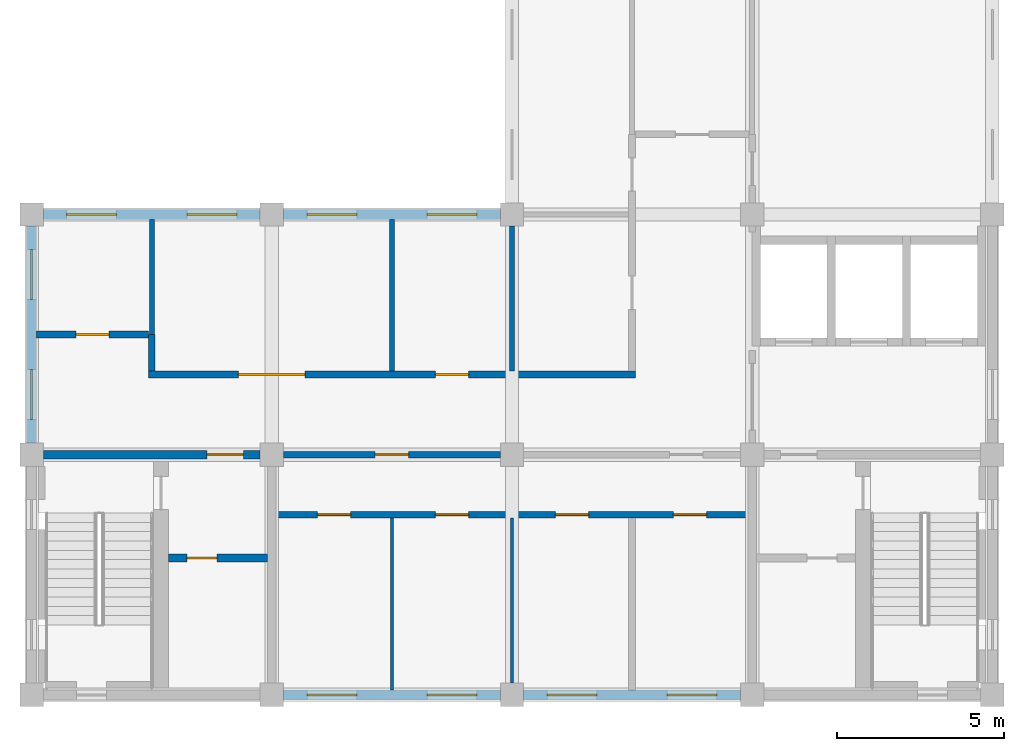
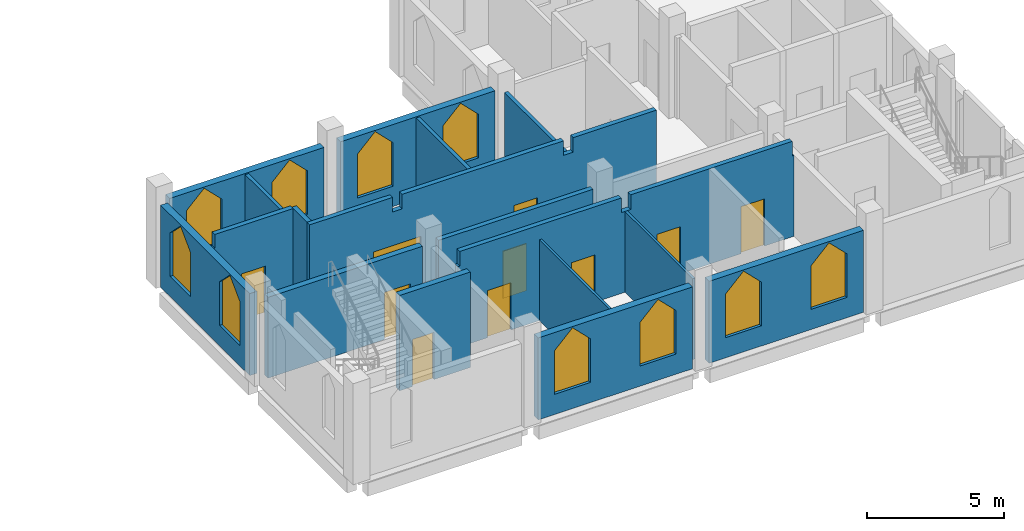
# One storey, part 2 of 5: 17 walls, 10 doors, 10 windows, 20 openings.
"""IFC4 building model written with IfcOpenShell, lengths in metres."""

from ifc_helpers import new_model, si_unit, direction, frame, frame_2d, origin, place, context, subcontext, project, spatial, polyline, rectangle, outline, extrude, material, layer, layer_set, type_object, element, fill, save


model = new_model("IFC4")

# Units and contexts
model_context = context("Model", 3, precision=1e-05, world=origin(), true_north=direction((0.0, 1.0)))
body_context = subcontext(model_context, "Body", "Model", "MODEL_VIEW")
ifc_project = project(units=[si_unit("LENGTHUNIT", "METRE"), si_unit("AREAUNIT", "SQUARE_METRE"), si_unit("VOLUMEUNIT", "CUBIC_METRE"), si_unit("PLANEANGLEUNIT", "RADIAN"), si_unit("MASSUNIT", "GRAM", prefix="KILO")], contexts=[model_context])

# Site, building, storey
site_placement = place(None, origin())
site = spatial("IfcSite", under=ifc_project, at=site_placement, CompositionType="ELEMENT")
building_placement = place(site_placement, origin())
building = spatial("IfcBuilding", under=site, at=building_placement, Name="Silangan Lancet Faculty of Sciences", CompositionType="ELEMENT")
storey_placement = place(building_placement, frame((0.0, 0.0, 63.300048828125)))
storey = spatial("IfcBuildingStorey", under=building, at=storey_placement, Name="L13", CompositionType="ELEMENT", Elevation=63.300048828125)

# Wall, openings, windows
ifc_material_1 = material(Name="Concrete C40/50 precast", Category="concrete")
ifc_layer_1 = layer(ifc_material_1, 0.300048828125)
ifc_layer_set_1 = layer_set([ifc_layer_1], Name="Concrete C40/50 precast")
wall_type_1 = type_object("IfcWallType", Name="EW1 Precast cladding wall", PredefinedType="STANDARD", material=ifc_layer_set_1)
wall_1_placement = place(storey_placement, frame((0.0, 7.550048828125, 0.0), z_axis=(0.0, 0.0, 1.0), x_axis=(0.0, 1.0, 0.0)))
wall_1 = element("IfcWall", 1, at=wall_1_placement, inside=storey, type_object=wall_type_1, Name="EW-L13-W-ST-U-01", PredefinedType="STANDARD", context=body_context, shape_type="SweptSolid", body=[
    extrude(rectangle(XDim=6.5, YDim=0.300048828125, at=frame_2d((3.25, 0.0))), origin(), (0.0, 0.0, 1.0), 3.64990234375),
])
opening_1_placement = place(wall_1_placement, frame((0.699951171875, 0.0, 0.89990234375)))
opening_1 = element("IfcOpeningElement", 2, at=opening_1_placement, cuts=wall_1, Name="Opening W23", PredefinedType="OPENING", context=body_context, shape_type="SweptSolid", body=[
    extrude(outline(polyline([(0.0, 0.0), (1.5, 0.0), (1.5, 1.949951171875), (0.75, 2.699951171875), (0.0, 1.949951171875), (0.0, 0.0)])), frame((0.0, 0.159912109375, 0.0), z_axis=(0.0, -1.0, 0.0), x_axis=(1.0, 0.0, 0.0)), (0.0, 0.0, 1.0), 0.320068359375),
])
opening_2_placement = place(wall_1_placement, frame((4.300048828125, 0.0, 0.89990234375)))
opening_2 = element("IfcOpeningElement", 3, at=opening_2_placement, cuts=wall_1, Name="Opening W23", PredefinedType="OPENING", context=body_context, shape_type="SweptSolid", body=[
    extrude(outline(polyline([(0.0, 0.0), (1.5, 0.0), (1.5, 1.949951171875), (0.75, 2.699951171875), (0.0, 1.949951171875), (0.0, 0.0)])), frame((0.0, 0.159912109375, 0.0), z_axis=(0.0, -1.0, 0.0), x_axis=(1.0, 0.0, 0.0)), (0.0, 0.0, 1.0), 0.320068359375),
])
ifc_material_2 = material(Name="Aluminium frame, laminated double glazing", Category="aluminium")
window_type = type_object("IfcWindowType", Name="W23 Lancet window 1500 x 2700", PartitioningType="SINGLE_PANEL", PredefinedType="WINDOW", material=ifc_material_2)
window_1_placement = place(opening_1_placement, origin())
window_1 = element("IfcWindow", 4, at=window_1_placement, inside=storey, type_object=window_type, Name="WIN-L13-W-ST-U-01a", OverallHeight=2.699951171875, OverallWidth=1.5, PartitioningType="SINGLE_PANEL", PredefinedType="WINDOW", context=body_context, shape_type="SweptSolid", body=[
    extrude(outline(polyline([(0.0, 0.0), (1.5, 0.0), (1.5, 1.949951171875), (0.75, 2.699951171875), (0.0, 1.949951171875), (0.0, 0.0)])), frame((0.0, 0.030029296875, 0.0), z_axis=(0.0, -1.0, 0.0), x_axis=(1.0, 0.0, 0.0)), (0.0, 0.0, 1.0), 0.06005859375),
])
fill(opening_1, window_1)
window_2_placement = place(opening_2_placement, origin())
window_2 = element("IfcWindow", 5, at=window_2_placement, inside=storey, type_object=window_type, Name="WIN-L13-W-ST-U-01b", OverallHeight=2.699951171875, OverallWidth=1.5, PartitioningType="SINGLE_PANEL", PredefinedType="WINDOW", context=body_context, shape_type="SweptSolid", body=[
    extrude(outline(polyline([(0.0, 0.0), (1.5, 0.0), (1.5, 1.949951171875), (0.75, 2.699951171875), (0.0, 1.949951171875), (0.0, 0.0)])), frame((0.0, 0.030029296875, 0.0), z_axis=(0.0, -1.0, 0.0), x_axis=(1.0, 0.0, 0.0)), (0.0, 0.0, 1.0), 0.06005859375),
])
fill(opening_2, window_2)

wall_2_placement = place(storey_placement, frame((7.550048828125, 0.0, 0.0), z_axis=(0.0, 0.0, 1.0), x_axis=(1.0, 0.0, 0.0)))
wall_2 = element("IfcWall", 6, at=wall_2_placement, inside=storey, type_object=wall_type_1, Name="EW-L13-S-ST-01", PredefinedType="STANDARD", context=body_context, shape_type="SweptSolid", body=[
    extrude(rectangle(XDim=6.5, YDim=0.300048828125, at=frame_2d((3.25, 0.0))), origin(), (0.0, 0.0, 1.0), 3.64990234375),
])
opening_3_placement = place(wall_2_placement, frame((0.699951171875, 0.0, 0.89990234375)))
opening_3 = element("IfcOpeningElement", 7, at=opening_3_placement, cuts=wall_2, Name="Opening W23", PredefinedType="OPENING", context=body_context, shape_type="SweptSolid", body=[
    extrude(outline(polyline([(0.0, 0.0), (1.5, 0.0), (1.5, 1.949951171875), (0.75, 2.699951171875), (0.0, 1.949951171875), (0.0, 0.0)])), frame((0.0, 0.159912109375, 0.0), z_axis=(0.0, -1.0, 0.0), x_axis=(1.0, 0.0, 0.0)), (0.0, 0.0, 1.0), 0.320068359375),
])
opening_4_placement = place(wall_2_placement, frame((4.300048828125, 0.0, 0.89990234375)))
opening_4 = element("IfcOpeningElement", 8, at=opening_4_placement, cuts=wall_2, Name="Opening W23", PredefinedType="OPENING", context=body_context, shape_type="SweptSolid", body=[
    extrude(outline(polyline([(0.0, 0.0), (1.5, 0.0), (1.5, 1.949951171875), (0.75, 2.699951171875), (0.0, 1.949951171875), (0.0, 0.0)])), frame((0.0, 0.159912109375, 0.0), z_axis=(0.0, -1.0, 0.0), x_axis=(1.0, 0.0, 0.0)), (0.0, 0.0, 1.0), 0.320068359375),
])
window_3_placement = place(opening_3_placement, origin())
window_3 = element("IfcWindow", 9, at=window_3_placement, inside=storey, type_object=window_type, Name="WIN-L13-S-ST-01a", OverallHeight=2.699951171875, OverallWidth=1.5, PartitioningType="SINGLE_PANEL", PredefinedType="WINDOW", context=body_context, shape_type="SweptSolid", body=[
    extrude(outline(polyline([(0.0, 0.0), (1.5, 0.0), (1.5, 1.949951171875), (0.75, 2.699951171875), (0.0, 1.949951171875), (0.0, 0.0)])), frame((0.0, 0.030029296875, 0.0), z_axis=(0.0, -1.0, 0.0), x_axis=(1.0, 0.0, 0.0)), (0.0, 0.0, 1.0), 0.06005859375),
])
fill(opening_3, window_3)
window_4_placement = place(opening_4_placement, origin())
window_4 = element("IfcWindow", 10, at=window_4_placement, inside=storey, type_object=window_type, Name="WIN-L13-S-ST-01b", OverallHeight=2.699951171875, OverallWidth=1.5, PartitioningType="SINGLE_PANEL", PredefinedType="WINDOW", context=body_context, shape_type="SweptSolid", body=[
    extrude(outline(polyline([(0.0, 0.0), (1.5, 0.0), (1.5, 1.949951171875), (0.75, 2.699951171875), (0.0, 1.949951171875), (0.0, 0.0)])), frame((0.0, 0.030029296875, 0.0), z_axis=(0.0, -1.0, 0.0), x_axis=(1.0, 0.0, 0.0)), (0.0, 0.0, 1.0), 0.06005859375),
])
fill(opening_4, window_4)

wall_3_placement = place(storey_placement, frame((14.75, 0.0, 0.0), z_axis=(0.0, 0.0, 1.0), x_axis=(1.0, 0.0, 0.0)))
wall_3 = element("IfcWall", 11, at=wall_3_placement, inside=storey, type_object=wall_type_1, Name="EW-L13-S-ST-02", PredefinedType="STANDARD", context=body_context, shape_type="SweptSolid", body=[
    extrude(rectangle(XDim=6.5, YDim=0.300048828125, at=frame_2d((3.25, 0.0))), origin(), (0.0, 0.0, 1.0), 3.64990234375),
])
opening_5_placement = place(wall_3_placement, frame((0.699951171875, 0.0, 0.89990234375)))
opening_5 = element("IfcOpeningElement", 12, at=opening_5_placement, cuts=wall_3, Name="Opening W23", PredefinedType="OPENING", context=body_context, shape_type="SweptSolid", body=[
    extrude(outline(polyline([(0.0, 0.0), (1.5, 0.0), (1.5, 1.949951171875), (0.75, 2.699951171875), (0.0, 1.949951171875), (0.0, 0.0)])), frame((0.0, 0.159912109375, 0.0), z_axis=(0.0, -1.0, 0.0), x_axis=(1.0, 0.0, 0.0)), (0.0, 0.0, 1.0), 0.320068359375),
])
opening_6_placement = place(wall_3_placement, frame((4.300048828125, 0.0, 0.89990234375)))
opening_6 = element("IfcOpeningElement", 13, at=opening_6_placement, cuts=wall_3, Name="Opening W23", PredefinedType="OPENING", context=body_context, shape_type="SweptSolid", body=[
    extrude(outline(polyline([(0.0, 0.0), (1.5, 0.0), (1.5, 1.949951171875), (0.75, 2.699951171875), (0.0, 1.949951171875), (0.0, 0.0)])), frame((0.0, 0.159912109375, 0.0), z_axis=(0.0, -1.0, 0.0), x_axis=(1.0, 0.0, 0.0)), (0.0, 0.0, 1.0), 0.320068359375),
])
window_5_placement = place(opening_5_placement, origin())
window_5 = element("IfcWindow", 14, at=window_5_placement, inside=storey, type_object=window_type, Name="WIN-L13-S-ST-02a", OverallHeight=2.699951171875, OverallWidth=1.5, PartitioningType="SINGLE_PANEL", PredefinedType="WINDOW", context=body_context, shape_type="SweptSolid", body=[
    extrude(outline(polyline([(0.0, 0.0), (1.5, 0.0), (1.5, 1.949951171875), (0.75, 2.699951171875), (0.0, 1.949951171875), (0.0, 0.0)])), frame((0.0, 0.030029296875, 0.0), z_axis=(0.0, -1.0, 0.0), x_axis=(1.0, 0.0, 0.0)), (0.0, 0.0, 1.0), 0.06005859375),
])
fill(opening_5, window_5)
window_6_placement = place(opening_6_placement, origin())
window_6 = element("IfcWindow", 15, at=window_6_placement, inside=storey, type_object=window_type, Name="WIN-L13-S-ST-02b", OverallHeight=2.699951171875, OverallWidth=1.5, PartitioningType="SINGLE_PANEL", PredefinedType="WINDOW", context=body_context, shape_type="SweptSolid", body=[
    extrude(outline(polyline([(0.0, 0.0), (1.5, 0.0), (1.5, 1.949951171875), (0.75, 2.699951171875), (0.0, 1.949951171875), (0.0, 0.0)])), frame((0.0, 0.030029296875, 0.0), z_axis=(0.0, -1.0, 0.0), x_axis=(1.0, 0.0, 0.0)), (0.0, 0.0, 1.0), 0.06005859375),
])
fill(opening_6, window_6)

wall_4_placement = place(storey_placement, frame((14.050048828125, 14.39990234375, 0.0), z_axis=(0.0, 0.0, 1.0), x_axis=(-1.0, 0.0, 0.0)))
wall_4 = element("IfcWall", 16, at=wall_4_placement, inside=storey, type_object=wall_type_1, Name="EW-L13-N-ST-T-00", PredefinedType="STANDARD", context=body_context, shape_type="SweptSolid", body=[
    extrude(rectangle(XDim=6.5, YDim=0.300048828125, at=frame_2d((3.25, 0.0))), origin(), (0.0, 0.0, 1.0), 3.64990234375),
])
opening_7_placement = place(wall_4_placement, frame((0.699951171875, 0.0, 0.89990234375)))
opening_7 = element("IfcOpeningElement", 17, at=opening_7_placement, cuts=wall_4, Name="Opening W23", PredefinedType="OPENING", context=body_context, shape_type="SweptSolid", body=[
    extrude(outline(polyline([(0.0, 0.0), (1.5, 0.0), (1.5, 1.949951171875), (0.75, 2.699951171875), (0.0, 1.949951171875), (0.0, 0.0)])), frame((0.0, 0.159912109375, 0.0), z_axis=(0.0, -1.0, 0.0), x_axis=(1.0, 0.0, 0.0)), (0.0, 0.0, 1.0), 0.320068359375),
])
opening_8_placement = place(wall_4_placement, frame((4.300048828125, 0.0, 0.89990234375)))
opening_8 = element("IfcOpeningElement", 18, at=opening_8_placement, cuts=wall_4, Name="Opening W23", PredefinedType="OPENING", context=body_context, shape_type="SweptSolid", body=[
    extrude(outline(polyline([(0.0, 0.0), (1.5, 0.0), (1.5, 1.949951171875), (0.75, 2.699951171875), (0.0, 1.949951171875), (0.0, 0.0)])), frame((0.0, 0.159912109375, 0.0), z_axis=(0.0, -1.0, 0.0), x_axis=(1.0, 0.0, 0.0)), (0.0, 0.0, 1.0), 0.320068359375),
])
window_7_placement = place(opening_7_placement, origin())
window_7 = element("IfcWindow", 19, at=window_7_placement, inside=storey, type_object=window_type, Name="WIN-L13-N-ST-T-00a", OverallHeight=2.699951171875, OverallWidth=1.5, PartitioningType="SINGLE_PANEL", PredefinedType="WINDOW", context=body_context, shape_type="SweptSolid", body=[
    extrude(outline(polyline([(0.0, 0.0), (1.5, 0.0), (1.5, 1.949951171875), (0.75, 2.699951171875), (0.0, 1.949951171875), (0.0, 0.0)])), frame((0.0, 0.030029296875, 0.0), z_axis=(0.0, -1.0, 0.0), x_axis=(1.0, 0.0, 0.0)), (0.0, 0.0, 1.0), 0.06005859375),
])
fill(opening_7, window_7)
window_8_placement = place(opening_8_placement, origin())
window_8 = element("IfcWindow", 20, at=window_8_placement, inside=storey, type_object=window_type, Name="WIN-L13-N-ST-T-00b", OverallHeight=2.699951171875, OverallWidth=1.5, PartitioningType="SINGLE_PANEL", PredefinedType="WINDOW", context=body_context, shape_type="SweptSolid", body=[
    extrude(outline(polyline([(0.0, 0.0), (1.5, 0.0), (1.5, 1.949951171875), (0.75, 2.699951171875), (0.0, 1.949951171875), (0.0, 0.0)])), frame((0.0, 0.030029296875, 0.0), z_axis=(0.0, -1.0, 0.0), x_axis=(1.0, 0.0, 0.0)), (0.0, 0.0, 1.0), 0.06005859375),
])
fill(opening_8, window_8)

wall_5_placement = place(storey_placement, frame((6.85009765625, 14.39990234375, 0.0), z_axis=(0.0, 0.0, 1.0), x_axis=(-1.0, 0.0, 0.0)))
wall_5 = element("IfcWall", 21, at=wall_5_placement, inside=storey, type_object=wall_type_1, Name="EW-L13-N-ST-T-01", PredefinedType="STANDARD", context=body_context, shape_type="SweptSolid", body=[
    extrude(rectangle(XDim=6.5, YDim=0.300048828125, at=frame_2d((3.25, 0.0))), origin(), (0.0, 0.0, 1.0), 3.64990234375),
])
opening_9_placement = place(wall_5_placement, frame((0.699951171875, 0.0, 0.89990234375)))
opening_9 = element("IfcOpeningElement", 22, at=opening_9_placement, cuts=wall_5, Name="Opening W23", PredefinedType="OPENING", context=body_context, shape_type="SweptSolid", body=[
    extrude(outline(polyline([(0.0, 0.0), (1.5, 0.0), (1.5, 1.949951171875), (0.75, 2.699951171875), (0.0, 1.949951171875), (0.0, 0.0)])), frame((0.0, 0.159912109375, 0.0), z_axis=(0.0, -1.0, 0.0), x_axis=(1.0, 0.0, 0.0)), (0.0, 0.0, 1.0), 0.320068359375),
])
opening_10_placement = place(wall_5_placement, frame((4.300048828125, 0.0, 0.89990234375)))
opening_10 = element("IfcOpeningElement", 23, at=opening_10_placement, cuts=wall_5, Name="Opening W23", PredefinedType="OPENING", context=body_context, shape_type="SweptSolid", body=[
    extrude(outline(polyline([(0.0, 0.0), (1.5, 0.0), (1.5, 1.949951171875), (0.75, 2.699951171875), (0.0, 1.949951171875), (0.0, 0.0)])), frame((0.0, 0.159912109375, 0.0), z_axis=(0.0, -1.0, 0.0), x_axis=(1.0, 0.0, 0.0)), (0.0, 0.0, 1.0), 0.320068359375),
])
window_9_placement = place(opening_9_placement, origin())
window_9 = element("IfcWindow", 24, at=window_9_placement, inside=storey, type_object=window_type, Name="WIN-L13-N-ST-T-01a", OverallHeight=2.699951171875, OverallWidth=1.5, PartitioningType="SINGLE_PANEL", PredefinedType="WINDOW", context=body_context, shape_type="SweptSolid", body=[
    extrude(outline(polyline([(0.0, 0.0), (1.5, 0.0), (1.5, 1.949951171875), (0.75, 2.699951171875), (0.0, 1.949951171875), (0.0, 0.0)])), frame((0.0, 0.030029296875, 0.0), z_axis=(0.0, -1.0, 0.0), x_axis=(1.0, 0.0, 0.0)), (0.0, 0.0, 1.0), 0.06005859375),
])
fill(opening_9, window_9)
window_10_placement = place(opening_10_placement, origin())
window_10 = element("IfcWindow", 25, at=window_10_placement, inside=storey, type_object=window_type, Name="WIN-L13-N-ST-T-01b", OverallHeight=2.699951171875, OverallWidth=1.5, PartitioningType="SINGLE_PANEL", PredefinedType="WINDOW", context=body_context, shape_type="SweptSolid", body=[
    extrude(outline(polyline([(0.0, 0.0), (1.5, 0.0), (1.5, 1.949951171875), (0.75, 2.699951171875), (0.0, 1.949951171875), (0.0, 0.0)])), frame((0.0, 0.030029296875, 0.0), z_axis=(0.0, -1.0, 0.0), x_axis=(1.0, 0.0, 0.0)), (0.0, 0.0, 1.0), 0.06005859375),
])
fill(opening_10, window_10)

# Wall, openings, doors
ifc_material_3 = material(Name="Hollow block masonry fm 7 MPa", Category="masonry")
ifc_layer_2 = layer(ifc_material_3, 0.199951171875)
ifc_layer_set_2 = layer_set([ifc_layer_2], Name="Hollow block masonry fm 7 MPa")
wall_type_2 = type_object("IfcWallType", Name="Interior wall PW1 Corridor wall CHB 200", PredefinedType="PARTITIONING", material=ifc_layer_set_2)
wall_6_placement = place(storey_placement, frame((7.324951171875, 5.39990234375, 0.0), z_axis=(0.0, 0.0, 1.0), x_axis=(1.0, 0.0, 0.0)))
wall_6 = element("IfcWall", 26, at=wall_6_placement, inside=storey, type_object=wall_type_2, Name="Corridor wall CHB 200", PredefinedType="PARTITIONING", context=body_context, shape_type="SweptSolid", body=[
    extrude(outline(polyline([(0.0, 0.0), (14.150146484375, 0.0), (14.150146484375, 3.599853515625), (14.074951171875, 3.599853515625), (14.074951171875, 4.25), (7.27490234375, 4.25), (7.27490234375, 3.599853515625), (6.875, 3.599853515625), (6.875, 4.25), (0.074951171875, 4.25), (0.074951171875, 3.599853515625), (0.0, 3.599853515625), (0.0, 0.0)])), frame((0.0, 0.10009765625, 0.0), z_axis=(0.0, -1.0, 0.0), x_axis=(1.0, 0.0, 0.0)), (0.0, 0.0, 1.0), 0.199951171875),
])
opening_11_placement = place(wall_6_placement, frame((1.237548828125, 0.0, 0.0)))
opening_11 = element("IfcOpeningElement", 27, at=opening_11_placement, cuts=wall_6, Name="Opening L13-004", PredefinedType="OPENING", context=body_context, shape_type="SweptSolid", body=[
    extrude(rectangle(XDim=1.0, YDim=2.10009765625, at=frame_2d((0.5, 1.050048828125))), frame((0.0, 0.10986328125, 0.0), z_axis=(0.0, -1.0, 0.0), x_axis=(1.0, 0.0, 0.0)), (0.0, 0.0, 1.0), 0.219970703125),
])
opening_12_placement = place(wall_6_placement, frame((4.77490234375, 0.0, 0.0)))
opening_12 = element("IfcOpeningElement", 28, at=opening_12_placement, cuts=wall_6, Name="Opening L13-005", PredefinedType="OPENING", context=body_context, shape_type="SweptSolid", body=[
    extrude(rectangle(XDim=1.0, YDim=2.10009765625, at=frame_2d((0.5, 1.050048828125))), frame((0.0, 0.10986328125, 0.0), z_axis=(0.0, -1.0, 0.0), x_axis=(1.0, 0.0, 0.0)), (0.0, 0.0, 1.0), 0.219970703125),
])
opening_13_placement = place(wall_6_placement, frame((8.375, 0.0, 0.0)))
opening_13 = element("IfcOpeningElement", 29, at=opening_13_placement, cuts=wall_6, Name="Opening L13-006", PredefinedType="OPENING", context=body_context, shape_type="SweptSolid", body=[
    extrude(rectangle(XDim=1.0, YDim=2.10009765625, at=frame_2d((0.5, 1.050048828125))), frame((0.0, 0.10986328125, 0.0), z_axis=(0.0, -1.0, 0.0), x_axis=(1.0, 0.0, 0.0)), (0.0, 0.0, 1.0), 0.219970703125),
])
opening_14_placement = place(wall_6_placement, frame((11.91259765625, 0.0, 0.0)))
opening_14 = element("IfcOpeningElement", 30, at=opening_14_placement, cuts=wall_6, Name="Opening L13-007", PredefinedType="OPENING", context=body_context, shape_type="SweptSolid", body=[
    extrude(rectangle(XDim=1.0, YDim=2.10009765625, at=frame_2d((0.5, 1.050048828125))), frame((0.0, 0.10986328125, 0.0), z_axis=(0.0, -1.0, 0.0), x_axis=(1.0, 0.0, 0.0)), (0.0, 0.0, 1.0), 0.219970703125),
])
ifc_material_4 = material(Name="Steel fire door set", Category="steel")
door_type_1 = type_object("IfcDoorType", Name="Door D1 Single leaf fire door 1000 x 2100", OperationType="SINGLE_SWING_LEFT", PredefinedType="DOOR", material=ifc_material_4)
door_1_placement = place(opening_11_placement, frame((1.0, 0.0, 0.0), z_axis=(0.0, 0.0, 1.0), x_axis=(-1.0, 0.0, 0.0)))
door_1 = element("IfcDoor", 31, at=door_1_placement, inside=storey, type_object=door_type_1, Name="Single leaf fire door 1000 x 2100", OperationType="SINGLE_SWING_LEFT", OverallHeight=2.10009765625, OverallWidth=1.0, PredefinedType="DOOR", context=body_context, shape_type="SweptSolid", body=[
    extrude(rectangle(XDim=1.0, YDim=2.10009765625, at=frame_2d((0.5, 1.050048828125))), frame((0.0, 0.025146484375, 0.0), z_axis=(0.0, -1.0, 0.0), x_axis=(1.0, 0.0, 0.0)), (0.0, 0.0, 1.0), 0.050048828125),
])
fill(opening_11, door_1)
door_2_placement = place(opening_12_placement, frame((1.0, 0.0, 0.0), z_axis=(0.0, 0.0, 1.0), x_axis=(-1.0, 0.0, 0.0)))
door_2 = element("IfcDoor", 32, at=door_2_placement, inside=storey, type_object=door_type_1, Name="Single leaf fire door 1000 x 2100", OperationType="SINGLE_SWING_RIGHT", OverallHeight=2.10009765625, OverallWidth=1.0, PredefinedType="DOOR", context=body_context, shape_type="SweptSolid", body=[
    extrude(rectangle(XDim=1.0, YDim=2.10009765625, at=frame_2d((0.5, 1.050048828125))), frame((0.0, 0.025146484375, 0.0), z_axis=(0.0, -1.0, 0.0), x_axis=(1.0, 0.0, 0.0)), (0.0, 0.0, 1.0), 0.050048828125),
])
fill(opening_12, door_2)
door_3_placement = place(opening_13_placement, frame((1.0, 0.0, 0.0), z_axis=(0.0, 0.0, 1.0), x_axis=(-1.0, 0.0, 0.0)))
door_3 = element("IfcDoor", 33, at=door_3_placement, inside=storey, type_object=door_type_1, Name="Single leaf fire door 1000 x 2100", OperationType="SINGLE_SWING_LEFT", OverallHeight=2.10009765625, OverallWidth=1.0, PredefinedType="DOOR", context=body_context, shape_type="SweptSolid", body=[
    extrude(rectangle(XDim=1.0, YDim=2.10009765625, at=frame_2d((0.5, 1.050048828125))), frame((0.0, 0.025146484375, 0.0), z_axis=(0.0, -1.0, 0.0), x_axis=(1.0, 0.0, 0.0)), (0.0, 0.0, 1.0), 0.050048828125),
])
fill(opening_13, door_3)
door_4_placement = place(opening_14_placement, frame((1.0, 0.0, 0.0), z_axis=(0.0, 0.0, 1.0), x_axis=(-1.0, 0.0, 0.0)))
door_4 = element("IfcDoor", 34, at=door_4_placement, inside=storey, type_object=door_type_1, Name="Single leaf fire door 1000 x 2100", OperationType="SINGLE_SWING_RIGHT", OverallHeight=2.10009765625, OverallWidth=1.0, PredefinedType="DOOR", context=body_context, shape_type="SweptSolid", body=[
    extrude(rectangle(XDim=1.0, YDim=2.10009765625, at=frame_2d((0.5, 1.050048828125))), frame((0.0, 0.025146484375, 0.0), z_axis=(0.0, -1.0, 0.0), x_axis=(1.0, 0.0, 0.0)), (0.0, 0.0, 1.0), 0.050048828125),
])
fill(opening_14, door_4)

# Wall, opening, door
wall_7_placement = place(storey_placement, frame((7.550048828125, 7.199951171875, 0.0), z_axis=(0.0, 0.0, 1.0), x_axis=(1.0, 0.0, 0.0)))
wall_7 = element("IfcWall", 35, at=wall_7_placement, inside=storey, type_object=wall_type_2, Name="Corridor wall CHB 200", PredefinedType="PARTITIONING", context=body_context, shape_type="SweptSolid", body=[
    extrude(rectangle(XDim=6.5, YDim=0.199951171875, at=frame_2d((3.25, 0.0))), origin(), (0.0, 0.0, 1.0), 3.599853515625),
])
opening_15_placement = place(wall_7_placement, frame((2.75, 0.0, 0.0)))
opening_15 = element("IfcOpeningElement", 36, at=opening_15_placement, cuts=wall_7, Name="Opening L13-002", PredefinedType="OPENING", context=body_context, shape_type="SweptSolid", body=[
    extrude(rectangle(XDim=1.0, YDim=2.10009765625, at=frame_2d((0.5, 1.050048828125))), frame((0.0, 0.10986328125, 0.0), z_axis=(0.0, -1.0, 0.0), x_axis=(1.0, 0.0, 0.0)), (0.0, 0.0, 1.0), 0.219970703125),
])
door_5_placement = place(opening_15_placement, frame((1.0, 0.0, 0.0), z_axis=(0.0, 0.0, 1.0), x_axis=(-1.0, 0.0, 0.0)))
door_5 = element("IfcDoor", 37, at=door_5_placement, inside=storey, type_object=door_type_1, Name="Single leaf fire door 1000 x 2100", OperationType="SINGLE_SWING_LEFT", OverallHeight=2.10009765625, OverallWidth=1.0, PredefinedType="DOOR", context=body_context, shape_type="SweptSolid", body=[
    extrude(rectangle(XDim=1.0, YDim=2.10009765625, at=frame_2d((0.5, 1.050048828125))), frame((0.0, 0.025146484375, 0.0), z_axis=(0.0, -1.0, 0.0), x_axis=(1.0, 0.0, 0.0)), (0.0, 0.0, 1.0), 0.050048828125),
])
fill(opening_15, door_5)

# Wall, openings, doors
wall_8_placement = place(storey_placement, frame((3.5, 9.60009765625, 0.0), z_axis=(0.0, 0.0, 1.0), x_axis=(1.0, 0.0, 0.0)))
wall_8 = element("IfcWall", 38, at=wall_8_placement, inside=storey, type_object=wall_type_2, Name="Corridor wall CHB 200", PredefinedType="PARTITIONING", context=body_context, shape_type="SweptSolid", body=[
    extrude(outline(polyline([(0.0, 0.0), (14.60009765625, 0.0), (14.60009765625, 4.25), (11.10009765625, 4.25), (11.10009765625, 3.599853515625), (10.699951171875, 3.599853515625), (10.699951171875, 4.25), (3.89990234375, 4.25), (3.89990234375, 3.599853515625), (3.5, 3.599853515625), (3.5, 4.25), (0.0, 4.25), (0.0, 0.0)])), frame((0.0, 0.10009765625, 0.0), z_axis=(0.0, -1.0, 0.0), x_axis=(1.0, 0.0, 0.0)), (0.0, 0.0, 1.0), 0.199951171875),
])
opening_16_placement = place(wall_8_placement, frame((2.699951171875, 0.0, 0.0)))
opening_16 = element("IfcOpeningElement", 39, at=opening_16_placement, cuts=wall_8, Name="Opening L13-012", PredefinedType="OPENING", context=body_context, shape_type="SweptSolid", body=[
    extrude(rectangle(XDim=2.0, YDim=2.10009765625, at=frame_2d((1.0, 1.050048828125))), frame((0.0, 0.10986328125, 0.0), z_axis=(0.0, -1.0, 0.0), x_axis=(1.0, 0.0, 0.0)), (0.0, 0.0, 1.0), 0.219970703125),
])
opening_17_placement = place(wall_8_placement, frame((8.60009765625, 0.0, 0.0)))
opening_17 = element("IfcOpeningElement", 40, at=opening_17_placement, cuts=wall_8, Name="Opening L13-013", PredefinedType="OPENING", context=body_context, shape_type="SweptSolid", body=[
    extrude(rectangle(XDim=1.0, YDim=2.10009765625, at=frame_2d((0.5, 1.050048828125))), frame((0.0, 0.10986328125, 0.0), z_axis=(0.0, -1.0, 0.0), x_axis=(1.0, 0.0, 0.0)), (0.0, 0.0, 1.0), 0.219970703125),
])
door_6_placement = place(opening_17_placement, origin())
door_6 = element("IfcDoor", 41, at=door_6_placement, inside=storey, type_object=door_type_1, Name="Single leaf fire door 1000 x 2100", OperationType="SINGLE_SWING_LEFT", OverallHeight=2.10009765625, OverallWidth=1.0, PredefinedType="DOOR", context=body_context, shape_type="SweptSolid", body=[
    extrude(rectangle(XDim=1.0, YDim=2.10009765625, at=frame_2d((0.5, 1.050048828125))), frame((0.0, 0.02490234375, 0.0), z_axis=(0.0, -1.0, 0.0), x_axis=(1.0, 0.0, 0.0)), (0.0, 0.0, 1.0), 0.050048828125),
])
fill(opening_17, door_6)
ifc_material_5 = material(Name="Steel fire door set", Category="steel")
door_type_2 = type_object("IfcDoorType", Name="Door D4 Double leaf fire door 2000 x 2100", OperationType="DOUBLE_DOOR_SINGLE_SWING", PredefinedType="DOOR", material=ifc_material_5)
door_7_placement = place(opening_16_placement, origin())
door_7 = element("IfcDoor", 42, at=door_7_placement, inside=storey, type_object=door_type_2, Name="Double leaf fire door 2000 x 2100", OperationType="DOUBLE_DOOR_SINGLE_SWING", OverallHeight=2.10009765625, OverallWidth=2.0, PredefinedType="DOOR", context=body_context, shape_type="SweptSolid", body=[
    extrude(rectangle(XDim=2.0, YDim=2.10009765625, at=frame_2d((1.0, 1.050048828125))), frame((0.0, 0.02490234375, 0.0), z_axis=(0.0, -1.0, 0.0), x_axis=(1.0, 0.0, 0.0)), (0.0, 0.0, 1.0), 0.050048828125),
])
fill(opening_16, door_7)

# Wall, opening, door
wall_9_placement = place(storey_placement, frame((0.14990234375, 10.800048828125, 0.0), z_axis=(0.0, 0.0, 1.0), x_axis=(1.0, 0.0, 0.0)))
wall_9 = element("IfcWall", 43, at=wall_9_placement, inside=storey, type_object=wall_type_2, Name="Corridor wall CHB 200", PredefinedType="PARTITIONING", context=body_context, shape_type="SweptSolid", body=[
    extrude(outline(polyline([(0.0, 0.0), (3.35009765625, 0.0), (3.35009765625, 4.25), (0.050048828125, 4.25), (0.050048828125, 3.64990234375), (0.0, 3.64990234375), (0.0, 0.0)])), frame((0.0, 0.10009765625, 0.0), z_axis=(0.0, -1.0, 0.0), x_axis=(1.0, 0.0, 0.0)), (0.0, 0.0, 1.0), 0.199951171875),
])
opening_18_placement = place(wall_9_placement, frame((1.175048828125, 0.0, 0.0)))
opening_18 = element("IfcOpeningElement", 44, at=opening_18_placement, cuts=wall_9, Name="Opening L13-011", PredefinedType="OPENING", context=body_context, shape_type="SweptSolid", body=[
    extrude(rectangle(XDim=1.0, YDim=2.10009765625, at=frame_2d((0.5, 1.050048828125))), frame((0.0, 0.10986328125, 0.0), z_axis=(0.0, -1.0, 0.0), x_axis=(1.0, 0.0, 0.0)), (0.0, 0.0, 1.0), 0.219970703125),
])
door_8_placement = place(opening_18_placement, origin())
door_8 = element("IfcDoor", 45, at=door_8_placement, inside=storey, type_object=door_type_1, Name="Single leaf fire door 1000 x 2100", OperationType="SINGLE_SWING_LEFT", OverallHeight=2.10009765625, OverallWidth=1.0, PredefinedType="DOOR", context=body_context, shape_type="SweptSolid", body=[
    extrude(rectangle(XDim=1.0, YDim=2.10009765625, at=frame_2d((0.5, 1.050048828125))), frame((0.0, 0.02490234375, 0.0), z_axis=(0.0, -1.0, 0.0), x_axis=(1.0, 0.0, 0.0)), (0.0, 0.0, 1.0), 0.050048828125),
])
fill(opening_18, door_8)

# Walls
wall_10_placement = place(storey_placement, frame((3.60009765625, 9.699951171875, 0.0), z_axis=(0.0, 0.0, 1.0), x_axis=(0.0, 1.0, 0.0)))
element("IfcWall", 46, at=wall_10_placement, inside=storey, type_object=wall_type_2, Name="Corridor wall CHB 200", PredefinedType="PARTITIONING", context=body_context, shape_type="SweptSolid", body=[
    extrude(rectangle(XDim=1.10009765625, YDim=0.199951171875, at=frame_2d((0.550048828125, 0.0))), origin(), (0.0, 0.0, 1.0), 4.25),
])
ifc_material_6 = material(Name="Hollow block masonry fm 7 MPa", Category="masonry")
ifc_layer_3 = layer(ifc_material_6, 0.14990234375)
ifc_layer_set_3 = layer_set([ifc_layer_3], Name="Hollow block masonry fm 7 MPa")
wall_type_3 = type_object("IfcWallType", Name="Interior wall PW3 Partition CHB 150", PredefinedType="PARTITIONING", material=ifc_layer_set_3)
wall_11_placement = place(storey_placement, frame((3.60009765625, 10.800048828125, 0.0), z_axis=(0.0, 0.0, 1.0), x_axis=(0.0, 1.0, 0.0)))
element("IfcWall", 47, at=wall_11_placement, inside=storey, type_object=wall_type_3, Name="Partition CHB 150", PredefinedType="PARTITIONING", context=body_context, shape_type="SweptSolid", body=[
    extrude(rectangle(XDim=3.449951171875, YDim=0.14990234375, at=frame_2d((1.72509765625, 0.0))), origin(), (0.0, 0.0, 1.0), 3.599853515625),
])
wall_12_placement = place(storey_placement, frame((10.800048828125, 9.699951171875, 0.0), z_axis=(0.0, 0.0, 1.0), x_axis=(0.0, 1.0, 0.0)))
element("IfcWall", 48, at=wall_12_placement, inside=storey, type_object=wall_type_3, Name="Partition CHB 150", PredefinedType="PARTITIONING", context=body_context, shape_type="SweptSolid", body=[
    extrude(rectangle(XDim=4.550048828125, YDim=0.14990234375, at=frame_2d((2.27490234375, 0.0))), origin(), (0.0, 0.0, 1.0), 3.599853515625),
])
wall_13_placement = place(storey_placement, frame((14.39990234375, 9.699951171875, 0.0), z_axis=(0.0, 0.0, 1.0), x_axis=(0.0, 1.0, 0.0)))
element("IfcWall", 49, at=wall_13_placement, inside=storey, type_object=wall_type_3, Name="Partition CHB 150", PredefinedType="PARTITIONING", context=body_context, shape_type="SweptSolid", body=[
    extrude(rectangle(XDim=4.35009765625, YDim=0.14990234375, at=frame_2d((2.175048828125, 0.0))), origin(), (0.0, 0.0, 1.0), 3.599853515625),
])
ifc_material_7 = material(Name="Hollow block masonry fm 7 MPa", Category="masonry")
ifc_layer_4 = layer(ifc_material_7, 0.10009765625)
ifc_layer_set_4 = layer_set([ifc_layer_4], Name="Hollow block masonry fm 7 MPa")
wall_type_4 = type_object("IfcWallType", Name="Interior wall PW8 WC partition CHB 100", PredefinedType="PARTITIONING", material=ifc_layer_set_4)
wall_14_placement = place(storey_placement, frame((10.800048828125, 0.14990234375, 0.0), z_axis=(0.0, 0.0, 1.0), x_axis=(0.0, 1.0, 0.0)))
element("IfcWall", 50, at=wall_14_placement, inside=storey, type_object=wall_type_4, Name="WC partition CHB 100", PredefinedType="PARTITIONING", context=body_context, shape_type="SweptSolid", body=[
    extrude(rectangle(XDim=5.150146484375, YDim=0.10009765625, at=frame_2d((2.5751953125, 0.0))), origin(), (0.0, 0.0, 1.0), 3.599853515625),
])
wall_15_placement = place(storey_placement, frame((14.39990234375, 0.35009765625, 0.0), z_axis=(0.0, 0.0, 1.0), x_axis=(0.0, 1.0, 0.0)))
element("IfcWall", 51, at=wall_15_placement, inside=storey, type_object=wall_type_4, Name="WC partition CHB 100", PredefinedType="PARTITIONING", context=body_context, shape_type="SweptSolid", body=[
    extrude(rectangle(XDim=4.949951171875, YDim=0.10009765625, at=frame_2d((2.47509765625, 0.0))), origin(), (0.0, 0.0, 1.0), 3.599853515625),
])

# Wall, opening, door
ifc_material_8 = material(Name="Concrete C40/50", Category="concrete")
ifc_layer_5 = layer(ifc_material_8, 0.25)
ifc_layer_set_5 = layer_set([ifc_layer_5], Name="Concrete C40/50")
wall_type_5 = type_object("IfcWallType", Name="TURRET WALL RC 250", PredefinedType="SHEAR", material=ifc_layer_set_5)
wall_16_placement = place(storey_placement, frame((0.35009765625, 7.199951171875, 0.0), z_axis=(0.0, 0.0, 1.0), x_axis=(1.0, 0.0, 0.0)))
wall_16 = element("IfcWall", 52, at=wall_16_placement, inside=storey, type_object=wall_type_5, Name="WALL-L13-ST-A-V", PredefinedType="SHEAR", context=body_context, shape_type="SweptSolid", body=[
    extrude(rectangle(XDim=6.5, YDim=0.25, at=frame_2d((3.25, 0.0))), origin(), (0.0, 0.0, 1.0), 3.599853515625),
])
opening_19_placement = place(wall_16_placement, frame((4.89990234375, 0.0, 0.0)))
opening_19 = element("IfcOpeningElement", 53, at=opening_19_placement, cuts=wall_16, Name="Opening L13-702", PredefinedType="OPENING", context=body_context, shape_type="SweptSolid", body=[
    extrude(rectangle(XDim=1.10009765625, YDim=2.10009765625, at=frame_2d((0.550048828125, 1.050048828125))), frame((0.0, 0.135009765625, 0.0), z_axis=(0.0, -1.0, 0.0), x_axis=(1.0, 0.0, 0.0)), (0.0, 0.0, 1.0), 0.27001953125),
])
ifc_material_9 = material(Name="Steel fire door set", Category="steel")
door_type_3 = type_object("IfcDoorType", Name="D70 Stair vestibule door 1100x2100", OperationType="SINGLE_SWING_LEFT", PredefinedType="DOOR", material=ifc_material_9)
door_9_placement = place(opening_19_placement, frame((1.10009765625, 0.0, 0.0), z_axis=(0.0, 0.0, 1.0), x_axis=(-1.0, 0.0, 0.0)))
door_9 = element("IfcDoor", 54, at=door_9_placement, inside=storey, type_object=door_type_3, Name="Stair vestibule door ST-A L13", OperationType="SINGLE_SWING_LEFT", OverallHeight=2.10009765625, OverallWidth=1.10009765625, PredefinedType="DOOR", context=body_context, shape_type="SweptSolid", body=[
    extrude(rectangle(XDim=1.10009765625, YDim=2.10009765625, at=frame_2d((0.550048828125, 1.050048828125))), frame((0.0, 0.025146484375, 0.0), z_axis=(0.0, -1.0, 0.0), x_axis=(1.0, 0.0, 0.0)), (0.0, 0.0, 1.0), 0.050048828125),
])
fill(opening_19, door_9)

wall_17_placement = place(storey_placement, frame((4.10009765625, 4.10009765625, 0.0), z_axis=(0.0, 0.0, 1.0), x_axis=(1.0, 0.0, 0.0)))
wall_17 = element("IfcWall", 55, at=wall_17_placement, inside=storey, type_object=wall_type_5, Name="WALL-L13-ST-A-RISER", PredefinedType="SHEAR", context=body_context, shape_type="SweptSolid", body=[
    extrude(rectangle(XDim=2.974853515625, YDim=0.25, at=frame_2d((1.4873046875, 0.0))), origin(), (0.0, 0.0, 1.0), 4.25),
])
opening_20_placement = place(wall_17_placement, frame((0.550048828125, 0.0, 0.0)))
opening_20 = element("IfcOpeningElement", 56, at=opening_20_placement, cuts=wall_17, Name="Opening L13-703", PredefinedType="OPENING", context=body_context, shape_type="SweptSolid", body=[
    extrude(rectangle(XDim=0.89990234375, YDim=2.10009765625, at=frame_2d((0.449951171875, 1.050048828125))), frame((0.0, 0.135009765625, 0.0), z_axis=(0.0, -1.0, 0.0), x_axis=(1.0, 0.0, 0.0)), (0.0, 0.0, 1.0), 0.27001953125),
])
ifc_material_10 = material(Name="Steel fire door set", Category="steel")
door_type_4 = type_object("IfcDoorType", Name="D72 Riser access door 900x2100", OperationType="SINGLE_SWING_LEFT", PredefinedType="DOOR", material=ifc_material_10)
door_10_placement = place(opening_20_placement, frame((0.89990234375, 0.0, 0.0), z_axis=(0.0, 0.0, 1.0), x_axis=(-1.0, 0.0, 0.0)))
door_10 = element("IfcDoor", 57, at=door_10_placement, inside=storey, type_object=door_type_4, Name="Riser access door ST-A L13", OperationType="SINGLE_SWING_LEFT", OverallHeight=2.10009765625, OverallWidth=0.89990234375, PredefinedType="DOOR", context=body_context, shape_type="SweptSolid", body=[
    extrude(rectangle(XDim=0.89990234375, YDim=2.10009765625, at=frame_2d((0.449951171875, 1.050048828125))), frame((0.0, 0.025146484375, 0.0), z_axis=(0.0, -1.0, 0.0), x_axis=(1.0, 0.0, 0.0)), (0.0, 0.0, 1.0), 0.050048828125),
])
fill(opening_20, door_10)

save(model, "model.ifc")
